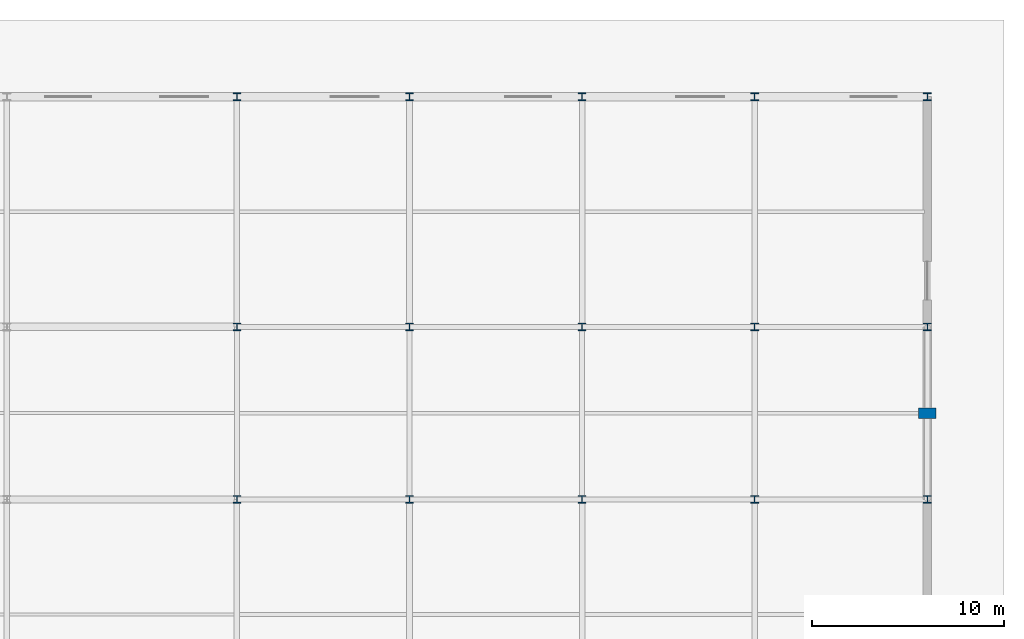
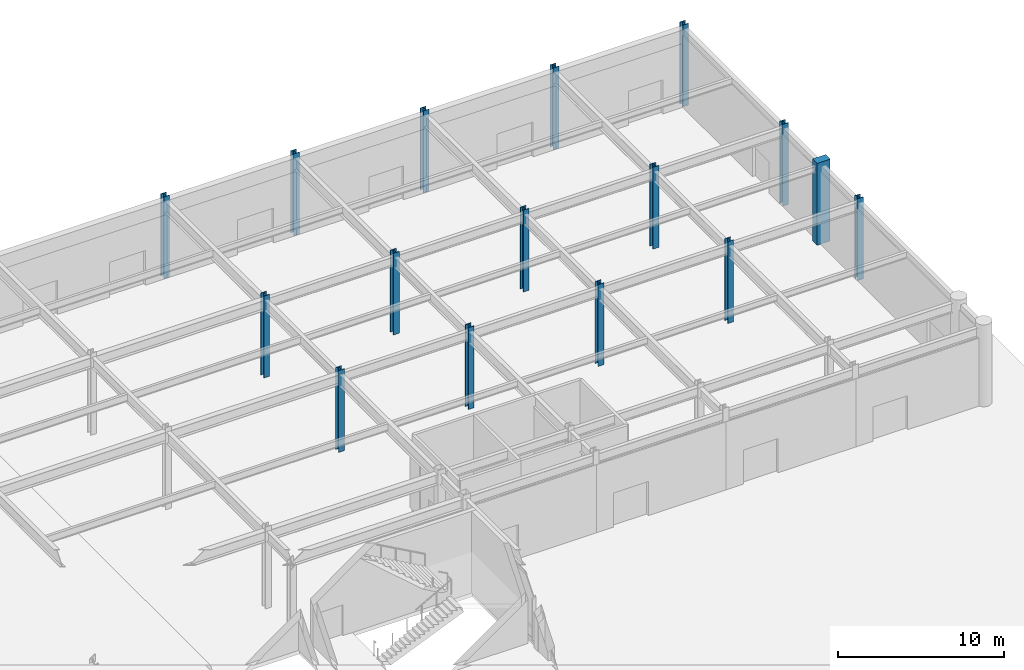
# One storey, part 13 of 44: 16 columns.
"""IFC4 building model written with IfcOpenShell, lengths in metres."""

from ifc_helpers import new_model, si_unit, direction, frame, origin, origin_2d, place, context, subcontext, project, spatial, rectangle, i_section, extrude, material, material_profile, profile_set, type_object, element, save


model = new_model("IFC4")

# Units and contexts
model_context = context("Model", 3, precision=1e-05, world=origin(), true_north=direction((0.0, 1.0)))
body_context = subcontext(model_context, "Body", "Model", "MODEL_VIEW")
ifc_project = project(units=[si_unit("LENGTHUNIT", "METRE"), si_unit("AREAUNIT", "SQUARE_METRE"), si_unit("VOLUMEUNIT", "CUBIC_METRE"), si_unit("PLANEANGLEUNIT", "RADIAN"), si_unit("MASSUNIT", "GRAM", prefix="KILO")], contexts=[model_context])

# Site, building, storey
site_placement = place(None, origin())
site = spatial("IfcSite", under=ifc_project, at=site_placement, CompositionType="ELEMENT")
building_placement = place(site_placement, origin())
building = spatial("IfcBuilding", under=site, at=building_placement, Name="Kaldorvane Square Convention Centre", CompositionType="ELEMENT")
storey_placement = place(building_placement, origin())
storey = spatial("IfcBuildingStorey", under=building, at=storey_placement, Name="L00", CompositionType="ELEMENT", Elevation=0.0)

# Columns
ifc_material_1 = material(Name="Steel ASTM A992 Gr. 50", Category="steel")
ifc_material_profile_1 = material_profile(ifc_material_1, i_section(OverallWidth=0.40130615234375, OverallDepth=0.3993072509765625, WebThickness=0.02490234375, FlangeThickness=0.0395965576171875, FilletRadius=0.0305023193359375, at=origin_2d()), Name="W14X211")
ifc_profile_set_1 = profile_set([ifc_material_profile_1], Name="Steel ASTM A992 Gr. 50")
column_type_1 = type_object("IfcColumnType", Name="COL-STL-211", PredefinedType="COLUMN", material=ifc_profile_set_1)
for number, where, z_axis, x_axis, name in (
    (1, (138.0, 96.0, 0.0), (0.0, 0.0, 1.0), (1.0, 0.0, 0.0), "Column SC-08 (L00)"),
    (2, (138.0, 105.0, 0.0), (0.0, 0.0, 1.0), (1.0, 0.0, 0.0), "Column SC-08 (L00)"),
    (3, (138.0, 117.0, 0.0), (0.0, 0.0, 1.0), (1.0, 0.0, 0.0), "Column SC-08 (L00)"),
    (4, (147.0, 96.0, 0.0), (0.0, 0.0, 1.0), (1.0, 0.0, 0.0), "Column SC-08 (L00)"),
    (5, (147.0, 105.0, 0.0), (0.0, 0.0, 1.0), (1.0, 0.0, 0.0), "Column SC-08 (L00)"),
    (6, (147.0, 117.0, 0.0), (0.0, 0.0, 1.0), (1.0, 0.0, 0.0), "Column SC-08 (L00)"),
    (7, (156.0, 96.0, 0.0), (0.0, 0.0, 1.0), (1.0, 0.0, 0.0), "Column SC-08 (L00)"),
    (8, (156.0, 105.0, 0.0), (0.0, 0.0, 1.0), (1.0, 0.0, 0.0), "Column SC-08 (L00)"),
    (9, (156.0, 117.0, 0.0), (0.0, 0.0, 1.0), (1.0, 0.0, 0.0), "Column SC-08 (L00)"),
    (10, (165.0, 96.0, 0.0), (0.0, 0.0, 1.0), (1.0, 0.0, 0.0), "Column SC-08 (L00)"),
    (11, (165.0, 105.0, 0.0), (0.0, 0.0, 1.0), (1.0, 0.0, 0.0), "Column SC-08 (L00)"),
    (12, (165.0, 117.0, 0.0), (0.0, 0.0, 1.0), (1.0, 0.0, 0.0), "Column SC-08 (L00)"),
    (13, (174.0, 96.0, 0.0), (0.0, 0.0, 1.0), (1.0, 0.0, 0.0), "Column SC-08 (L00)"),
    (14, (174.0, 105.0, 0.0), (0.0, 0.0, 1.0), (1.0, 0.0, 0.0), "Column SC-08 (L00)"),
    (15, (174.0, 117.0, 0.0), (0.0, 0.0, 1.0), (1.0, 0.0, 0.0), "Column SC-08 (L00)"),
):
    element("IfcColumn", number, at=place(storey_placement, frame(where, z_axis=z_axis, x_axis=x_axis)), inside=storey, type_object=column_type_1, Name=name, PredefinedType="COLUMN", context=body_context, shape_type="SweptSolid", body=[
        extrude(i_section(OverallWidth=0.40130615234375, OverallDepth=0.3993072509765625, WebThickness=0.02490234375, FlangeThickness=0.0395965576171875, FilletRadius=0.0305023193359375, at=origin_2d()), origin(), (0.0, 0.0, 1.0), 6.0),
    ])
ifc_material_2 = material(Name="Concrete f'c = 42 MPa (Normalweight)", Category="concrete")
ifc_material_profile_2 = material_profile(ifc_material_2, rectangle(XDim=0.5500030517578125, YDim=0.899993896484375, at=origin_2d()), Name="PIL900X550")
ifc_profile_set_2 = profile_set([ifc_material_profile_2], Name="Concrete f'c = 42 MPa (Normalweight)")
column_type_2 = type_object("IfcColumnType", Name="PIL-BRUT-900", PredefinedType="PILASTER", material=ifc_profile_set_2)
column_placement = place(storey_placement, frame((174.0, 100.5, 0.0), z_axis=(0.0, 0.0, 1.0), x_axis=(0.0, 1.0, 0.0)))
element("IfcColumn", 16, at=column_placement, inside=storey, type_object=column_type_2, Name="Brutalist Colonnade Pilaster (L00)", PredefinedType="PILASTER", context=body_context, shape_type="SweptSolid", body=[
    extrude(rectangle(XDim=0.5500030517578125, YDim=0.899993896484375, at=origin_2d()), origin(), (0.0, 0.0, 1.0), 6.0),
])

save(model, "model.ifc")
